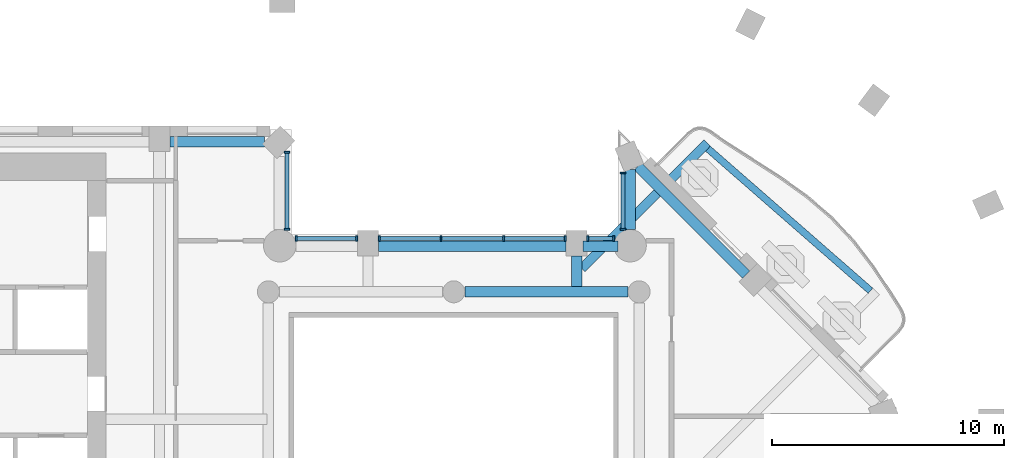
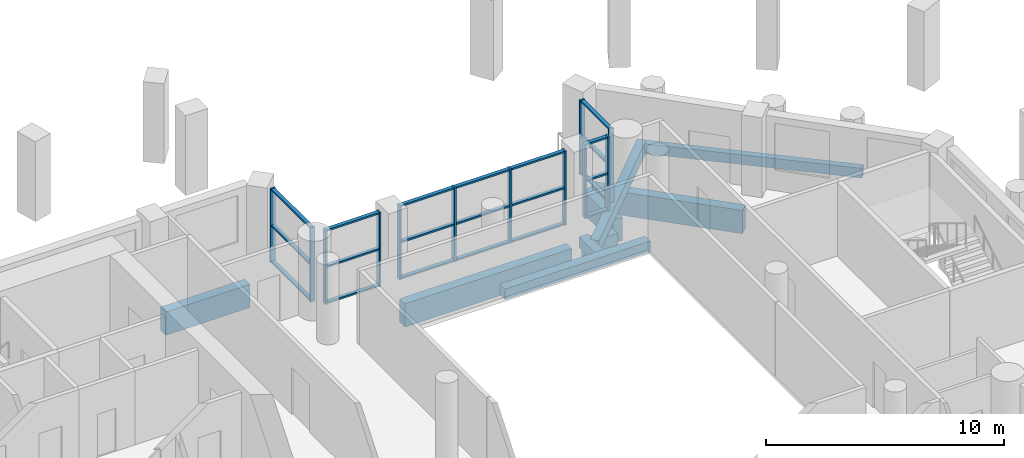
# One storey, part 2 of 15: 33 members, 9 beams, 5 elements without a shape of their own.
"""IFC4 building model written with IfcOpenShell, lengths in metres."""

from ifc_helpers import new_model, si_unit, direction, frame, origin, origin_2d, place, context, subcontext, project, spatial, rectangle, extrude, material, material_profile, profile_set, type_object, element, aggregate, save


model = new_model("IFC4")

# Units and contexts
model_context = context("Model", 3, precision=1e-05, world=origin(), true_north=direction((0.0, 1.0)))
body_context = subcontext(model_context, "Body", "Model", "MODEL_VIEW")
ifc_project = project(units=[si_unit("LENGTHUNIT", "METRE"), si_unit("AREAUNIT", "SQUARE_METRE"), si_unit("VOLUMEUNIT", "CUBIC_METRE"), si_unit("PLANEANGLEUNIT", "RADIAN"), si_unit("MASSUNIT", "GRAM", prefix="KILO")], contexts=[model_context])

# Site, building, storey
site_placement = place(None, origin())
site = spatial("IfcSite", under=ifc_project, at=site_placement, CompositionType="ELEMENT")
building_placement = place(site_placement, origin())
building = spatial("IfcBuilding", under=site, at=building_placement, Name="Cypress Arch Tower", CompositionType="ELEMENT")
storey_placement = place(building_placement, frame((0.0, 0.0, 164.60009765625)))
storey = spatial("IfcBuildingStorey", under=building, at=storey_placement, Name="L35", CompositionType="ELEMENT", Elevation=164.60009765625)

# Beams
ifc_material_1 = material(Name="Concrete C50/60", Category="concrete")
ifc_material_profile_1 = material_profile(ifc_material_1, rectangle(XDim=0.300048828125, YDim=0.5, at=origin_2d()), Name="RC 300x500")
ifc_profile_set_1 = profile_set([ifc_material_profile_1], Name="Concrete C50/60")
beam_type_1 = type_object("IfcBeamType", Name="Balcony edge beam RC 300x500 Concrete C50/60", PredefinedType="BEAM", material=ifc_profile_set_1)
beam_1_placement = place(storey_placement, frame((18.988037109375, 10.046630859375, -0.550048828125), z_axis=(-0.753105672065, 0.657899571898, 0.0), x_axis=(-0.657899571898, -0.753105672065, 0.0)))
element("IfcBeam", 1, at=beam_1_placement, inside=storey, type_object=beam_type_1, Name="Balcony edge beam L35 B05", PredefinedType="BEAM", context=body_context, shape_type="SweptSolid", body=[
    extrude(rectangle(XDim=0.300048828125, YDim=0.5, at=origin_2d()), origin(), (0.0, 0.0, 1.0), 9.316162109375),
])
ifc_material_2 = material(Name="Concrete C50/60", Category="concrete")
ifc_material_profile_2 = material_profile(ifc_material_2, rectangle(XDim=0.39990234375, YDim=0.64990234375, at=origin_2d()), Name="RC 400x650")
ifc_profile_set_2 = profile_set([ifc_material_profile_2], Name="Concrete C50/60")
beam_type_2 = type_object("IfcBeamType", Name="Cantilever beam RC 400x650 Concrete C50/60", PredefinedType="BEAM", material=ifc_profile_set_2)
beam_2_placement = place(storey_placement, frame((6.52490234375, 11.011962890625, -0.625), z_axis=(0.707122731623, 0.70709083039, 0.0), x_axis=(-0.70709083039, 0.707122731623, 0.0)))
element("IfcBeam", 2, at=beam_2_placement, inside=storey, type_object=beam_type_2, Name="Cantilever beam L35 B05 2", PredefinedType="BEAM", context=body_context, shape_type="SweptSolid", body=[
    extrude(rectangle(XDim=0.39990234375, YDim=0.64990234375, at=origin_2d()), origin(), (0.0, 0.0, 1.0), 7.653076171875),
])
ifc_material_3 = material(Name="Concrete C50/60", Category="concrete")
ifc_material_profile_3 = material_profile(ifc_material_3, rectangle(XDim=0.449951171875, YDim=0.550048828125, at=origin_2d()), Name="RC 450x550")
ifc_profile_set_3 = profile_set([ifc_material_profile_3], Name="Concrete C50/60")
beam_type_3 = type_object("IfcBeamType", Name="Floor beam RC 450x550 Concrete C50/60", PredefinedType="BEAM", material=ifc_profile_set_3)
beam_3_placement = place(storey_placement, frame((1.47509765625, 10.0, -0.5751953125), z_axis=(1.0, 0.0, 0.0), x_axis=(0.0, 1.0, 0.0)))
element("IfcBeam", 3, at=beam_3_placement, inside=storey, type_object=beam_type_3, Name="Floor beam L35 RB008", PredefinedType="BEAM", context=body_context, shape_type="SweptSolid", body=[
    extrude(rectangle(XDim=0.449951171875, YDim=0.550048828125, at=origin_2d()), origin(), (0.0, 0.0, 1.0), 7.0498046875),
])
beam_4_placement = place(storey_placement, frame((6.300048828125, 10.22509765625, -0.5751953125), z_axis=(0.0, 1.0, 0.0), x_axis=(-1.0, 0.0, 0.0)))
element("IfcBeam", 4, at=beam_4_placement, inside=storey, type_object=beam_type_3, Name="Floor beam L35 FB017", PredefinedType="BEAM", context=body_context, shape_type="SweptSolid", body=[
    extrude(rectangle(XDim=0.449951171875, YDim=0.550048828125, at=origin_2d()), origin(), (0.0, 0.0, 1.0), 1.324951171875),
])

# Curtain wall, members
ifc_material_4 = material(Name="Anodised aluminium, bronze finish, clear laminated double glazing", Category="aluminium")
curtain_wall_type = type_object("IfcCurtainWallType", Name="Curtain wall CW7 slot glazing", PredefinedType="NOTDEFINED", material=ifc_material_4)
curtain_wall_1_placement = place(storey_placement, origin())
curtain_wall_1 = element("IfcCurtainWall", 5, at=curtain_wall_1_placement, inside=storey, type_object=curtain_wall_type, Name="Curtain wall L35 slot B06.0", PredefinedType="NOTDEFINED")
ifc_material_5 = material(Name="Anodised aluminium, bronze finish", Category="aluminium")
ifc_material_profile_4 = material_profile(ifc_material_5, rectangle(XDim=0.239990234375, YDim=0.0849609375, at=origin_2d()), Name="Mullion 85x240")
ifc_profile_set_4 = profile_set([ifc_material_profile_4], Name="Anodised aluminium, bronze finish")
member_type_1 = type_object("IfcMemberType", Name="Mullion CW7 85x240", PredefinedType="MULLION", material=ifc_profile_set_4)
member_1_placement = place(storey_placement, frame((8.300048828125, 15.12744140625, 0.0), z_axis=(0.0, 0.0, 1.0), x_axis=(1.0, 0.0, 0.0)))
member_1 = element("IfcMember", 6, at=member_1_placement, type_object=member_type_1, Name="CW7 mullion 1", PredefinedType="MULLION", context=body_context, shape_type="SweptSolid", body=[
    extrude(rectangle(XDim=0.239990234375, YDim=0.0849609375, at=origin_2d()), origin(), (0.0, 0.0, 1.0), 3.7998046875),
])
member_2_placement = place(storey_placement, frame((8.300048828125, 12.697021484375, 0.0), z_axis=(0.0, 0.0, 1.0), x_axis=(1.0, 0.0, 0.0)))
member_2 = element("IfcMember", 7, at=member_2_placement, type_object=member_type_1, Name="CW7 mullion 2", PredefinedType="MULLION", context=body_context, shape_type="SweptSolid", body=[
    extrude(rectangle(XDim=0.239990234375, YDim=0.0849609375, at=origin_2d()), origin(), (0.0, 0.0, 1.0), 3.7998046875),
])

curtain_wall_2_placement = place(storey_placement, origin())
curtain_wall_2 = element("IfcCurtainWall", 8, at=curtain_wall_2_placement, inside=storey, type_object=curtain_wall_type, Name="Curtain wall L35 slot B07.0", PredefinedType="NOTDEFINED")
member_3_placement = place(storey_placement, frame((7.903076171875, 12.300048828125, 0.0), z_axis=(0.0, 0.0, 1.0), x_axis=(0.0, -1.0, 0.0)))
member_3 = element("IfcMember", 9, at=member_3_placement, type_object=member_type_1, Name="CW7 mullion 1", PredefinedType="MULLION", context=body_context, shape_type="SweptSolid", body=[
    extrude(rectangle(XDim=0.239990234375, YDim=0.0849609375, at=origin_2d()), origin(), (0.0, 0.0, 1.0), 3.7998046875),
])
member_4_placement = place(storey_placement, frame((6.79248046875, 12.300048828125, 0.0), z_axis=(0.0, 0.0, 1.0), x_axis=(0.0, -1.0, 0.0)))
member_4 = element("IfcMember", 10, at=member_4_placement, type_object=member_type_1, Name="CW7 mullion 2", PredefinedType="MULLION", context=body_context, shape_type="SweptSolid", body=[
    extrude(rectangle(XDim=0.239990234375, YDim=0.0849609375, at=origin_2d()), origin(), (0.0, 0.0, 1.0), 3.7998046875),
])

curtain_wall_3_placement = place(storey_placement, origin())
curtain_wall_3 = element("IfcCurtainWall", 11, at=curtain_wall_3_placement, inside=storey, type_object=curtain_wall_type, Name="Curtain wall L35 slot B07.1", PredefinedType="NOTDEFINED")
member_5_placement = place(storey_placement, frame((5.8076171875, 12.300048828125, 0.0), z_axis=(0.0, 0.0, 1.0), x_axis=(0.0, -1.0, 0.0)))
member_5 = element("IfcMember", 12, at=member_5_placement, type_object=member_type_1, Name="CW7 mullion 1", PredefinedType="MULLION", context=body_context, shape_type="SweptSolid", body=[
    extrude(rectangle(XDim=0.239990234375, YDim=0.0849609375, at=origin_2d()), origin(), (0.0, 0.0, 1.0), 3.7998046875),
])
member_6_placement = place(storey_placement, frame((3.14990234375, 12.300048828125, 0.0), z_axis=(0.0, 0.0, 1.0), x_axis=(0.0, -1.0, 0.0)))
member_6 = element("IfcMember", 13, at=member_6_placement, type_object=member_type_1, Name="CW7 mullion 2", PredefinedType="MULLION", context=body_context, shape_type="SweptSolid", body=[
    extrude(rectangle(XDim=0.239990234375, YDim=0.0849609375, at=origin_2d()), origin(), (0.0, 0.0, 1.0), 3.7998046875),
])
member_7_placement = place(storey_placement, frame((0.449951171875, 12.300048828125, 0.0), z_axis=(0.0, 0.0, 1.0), x_axis=(0.0, -1.0, 0.0)))
member_7 = element("IfcMember", 14, at=member_7_placement, type_object=member_type_1, Name="CW7 mullion 3", PredefinedType="MULLION", context=body_context, shape_type="SweptSolid", body=[
    extrude(rectangle(XDim=0.239990234375, YDim=0.0849609375, at=origin_2d()), origin(), (0.0, 0.0, 1.0), 3.7998046875),
])
member_8_placement = place(storey_placement, frame((-2.20751953125, 12.300048828125, 0.0), z_axis=(0.0, 0.0, 1.0), x_axis=(0.0, -1.0, 0.0)))
member_8 = element("IfcMember", 15, at=member_8_placement, type_object=member_type_1, Name="CW7 mullion 4", PredefinedType="MULLION", context=body_context, shape_type="SweptSolid", body=[
    extrude(rectangle(XDim=0.239990234375, YDim=0.0849609375, at=origin_2d()), origin(), (0.0, 0.0, 1.0), 3.7998046875),
])

curtain_wall_4_placement = place(storey_placement, origin())
curtain_wall_4 = element("IfcCurtainWall", 16, at=curtain_wall_4_placement, inside=storey, type_object=curtain_wall_type, Name="Curtain wall L35 slot B07.2", PredefinedType="NOTDEFINED")
member_9_placement = place(storey_placement, frame((-3.1923828125, 12.300048828125, 0.0), z_axis=(0.0, 0.0, 1.0), x_axis=(0.0, -1.0, 0.0)))
member_9 = element("IfcMember", 17, at=member_9_placement, type_object=member_type_1, Name="CW7 mullion 1", PredefinedType="MULLION", context=body_context, shape_type="SweptSolid", body=[
    extrude(rectangle(XDim=0.239990234375, YDim=0.0849609375, at=origin_2d()), origin(), (0.0, 0.0, 1.0), 3.7998046875),
])
member_10_placement = place(storey_placement, frame((-5.802978515625, 12.300048828125, 0.0), z_axis=(0.0, 0.0, 1.0), x_axis=(0.0, -1.0, 0.0)))
member_10 = element("IfcMember", 18, at=member_10_placement, type_object=member_type_1, Name="CW7 mullion 2", PredefinedType="MULLION", context=body_context, shape_type="SweptSolid", body=[
    extrude(rectangle(XDim=0.239990234375, YDim=0.0849609375, at=origin_2d()), origin(), (0.0, 0.0, 1.0), 3.7998046875),
])

curtain_wall_5_placement = place(storey_placement, origin())
curtain_wall_5 = element("IfcCurtainWall", 19, at=curtain_wall_5_placement, inside=storey, type_object=curtain_wall_type, Name="Curtain wall L35 slot B08.0", PredefinedType="NOTDEFINED")
member_11_placement = place(storey_placement, frame((-6.199951171875, 12.697021484375, 0.0), z_axis=(0.0, 0.0, 1.0), x_axis=(-1.0, 0.0, 0.0)))
member_11 = element("IfcMember", 20, at=member_11_placement, type_object=member_type_1, Name="CW7 mullion 1", PredefinedType="MULLION", context=body_context, shape_type="SweptSolid", body=[
    extrude(rectangle(XDim=0.239990234375, YDim=0.0849609375, at=origin_2d()), origin(), (0.0, 0.0, 1.0), 3.7998046875),
])
member_12_placement = place(storey_placement, frame((-6.199951171875, 16.02099609375, 0.0), z_axis=(0.0, 0.0, 1.0), x_axis=(-1.0, 0.0, 0.0)))
member_12 = element("IfcMember", 21, at=member_12_placement, type_object=member_type_1, Name="CW7 mullion 2", PredefinedType="MULLION", context=body_context, shape_type="SweptSolid", body=[
    extrude(rectangle(XDim=0.239990234375, YDim=0.0849609375, at=origin_2d()), origin(), (0.0, 0.0, 1.0), 3.7998046875),
])

# Beams
ifc_material_6 = material(Name="Concrete C50/60", Category="concrete")
ifc_material_profile_5 = material_profile(ifc_material_6, rectangle(XDim=0.449951171875, YDim=1.199951171875, at=origin_2d()), Name="RC 450x1200")
ifc_profile_set_5 = profile_set([ifc_material_profile_5], Name="Concrete C50/60")
beam_type_4 = type_object("IfcBeamType", Name="Spandrel beam RC 450x1200 Concrete C50/60", PredefinedType="SPANDREL", material=ifc_profile_set_5)
beam_5_placement = place(storey_placement, frame((13.622802734375, 10.73486328125, -1.550048828125), z_axis=(-0.707106781187, 0.707106781187, 0.0), x_axis=(-0.707106781187, -0.707106781187, 0.0)))
element("IfcBeam", 22, at=beam_5_placement, inside=storey, type_object=beam_type_4, Name="Spandrel beam L35 BB05-1", PredefinedType="SPANDREL", context=body_context, shape_type="SweptSolid", body=[
    extrude(rectangle(XDim=0.449951171875, YDim=1.199951171875, at=origin_2d()), origin(), (0.0, 0.0, 1.0), 6.610595703125),
])
beam_6_placement = place(storey_placement, frame((8.625, 15.275146484375, -1.550048828125), z_axis=(0.0, -1.0, 0.0), x_axis=(1.0, 0.0, 0.0)))
element("IfcBeam", 23, at=beam_6_placement, inside=storey, type_object=beam_type_4, Name="Spandrel beam L35 BB06-0", PredefinedType="SPANDREL", context=body_context, shape_type="SweptSolid", body=[
    extrude(rectangle(XDim=0.449951171875, YDim=1.199951171875, at=origin_2d()), origin(), (0.0, 0.0, 1.0), 2.587646484375),
])
beam_7_placement = place(storey_placement, frame((8.081298828125, 11.97509765625, -1.550048828125), z_axis=(-1.0, 0.0, 0.0), x_axis=(0.0, -1.0, 0.0)))
element("IfcBeam", 24, at=beam_7_placement, inside=storey, type_object=beam_type_4, Name="Spandrel beam L35 BB07-0", PredefinedType="SPANDREL", context=body_context, shape_type="SweptSolid", body=[
    extrude(rectangle(XDim=0.449951171875, YDim=1.199951171875, at=origin_2d()), origin(), (0.0, 0.0, 1.0), 1.5),
])
beam_8_placement = place(storey_placement, frame((5.85009765625, 11.97509765625, -1.550048828125), z_axis=(-1.0, 0.0, 0.0), x_axis=(0.0, -1.0, 0.0)))
element("IfcBeam", 25, at=beam_8_placement, inside=storey, type_object=beam_type_4, Name="Spandrel beam L35 BB07-1", PredefinedType="SPANDREL", context=body_context, shape_type="SweptSolid", body=[
    extrude(rectangle(XDim=0.449951171875, YDim=1.199951171875, at=origin_2d()), origin(), (0.0, 0.0, 1.0), 8.10009765625),
])
beam_9_placement = place(storey_placement, frame((-7.161376953125, 16.47509765625, -1.550048828125), z_axis=(-1.0, 0.0, 0.0), x_axis=(0.0, -1.0, 0.0)))
element("IfcBeam", 26, at=beam_9_placement, inside=storey, type_object=beam_type_4, Name="Spandrel beam L35 BB09-0", PredefinedType="SPANDREL", context=body_context, shape_type="SweptSolid", body=[
    extrude(rectangle(XDim=0.449951171875, YDim=1.199951171875, at=origin_2d()), origin(), (0.0, 0.0, 1.0), 4.088623046875),
])

# Member
ifc_material_7 = material(Name="Anodised aluminium, bronze finish", Category="aluminium")
ifc_material_profile_6 = material_profile(ifc_material_7, rectangle(XDim=0.179931640625, YDim=0.0849609375, at=origin_2d()), Name="Transom 85x180")
ifc_profile_set_6 = profile_set([ifc_material_profile_6], Name="Anodised aluminium, bronze finish")
member_type_2 = type_object("IfcMemberType", Name="Transom CW7 85x180", PredefinedType="USERDEFINED", material=ifc_profile_set_6)
member_13_placement = place(storey_placement, frame((8.300048828125, 15.0849609375, 0.04248046875), z_axis=(0.0, -1.0, 0.0), x_axis=(1.0, 0.0, 0.0)))
member_13 = element("IfcMember", 27, at=member_13_placement, type_object=member_type_2, Name="CW7 transom 1.1", ObjectType="TRANSOM", PredefinedType="USERDEFINED", context=body_context, shape_type="SweptSolid", body=[
    extrude(rectangle(XDim=0.179931640625, YDim=0.0849609375, at=origin_2d()), origin(), (0.0, 0.0, 1.0), 2.345458984375),
])

member_14_placement = place(storey_placement, frame((8.300048828125, 15.0849609375, 1.89990234375), z_axis=(0.0, -1.0, 0.0), x_axis=(1.0, 0.0, 0.0)))
member_14 = element("IfcMember", 28, at=member_14_placement, type_object=member_type_2, Name="CW7 transom 1.2", ObjectType="TRANSOM", PredefinedType="USERDEFINED", context=body_context, shape_type="SweptSolid", body=[
    extrude(rectangle(XDim=0.179931640625, YDim=0.0849609375, at=origin_2d()), origin(), (0.0, 0.0, 1.0), 2.345458984375),
])

member_15_placement = place(storey_placement, frame((8.300048828125, 15.0849609375, 3.75732421875), z_axis=(0.0, -1.0, 0.0), x_axis=(1.0, 0.0, 0.0)))
member_15 = element("IfcMember", 29, at=member_15_placement, type_object=member_type_2, Name="CW7 transom 1.3", ObjectType="TRANSOM", PredefinedType="USERDEFINED", context=body_context, shape_type="SweptSolid", body=[
    extrude(rectangle(XDim=0.179931640625, YDim=0.0849609375, at=origin_2d()), origin(), (0.0, 0.0, 1.0), 2.345458984375),
])

aggregate(curtain_wall_1, [member_1, member_2, member_13, member_14, member_15])

member_16_placement = place(storey_placement, frame((7.8603515625, 12.300048828125, 0.04248046875), z_axis=(-1.0, 0.0, 0.0), x_axis=(0.0, -1.0, 0.0)))
member_16 = element("IfcMember", 30, at=member_16_placement, type_object=member_type_2, Name="CW7 transom 1.1", ObjectType="TRANSOM", PredefinedType="USERDEFINED", context=body_context, shape_type="SweptSolid", body=[
    extrude(rectangle(XDim=0.179931640625, YDim=0.0849609375, at=origin_2d()), origin(), (0.0, 0.0, 1.0), 1.025390625),
])

member_17_placement = place(storey_placement, frame((7.8603515625, 12.300048828125, 1.89990234375), z_axis=(-1.0, 0.0, 0.0), x_axis=(0.0, -1.0, 0.0)))
member_17 = element("IfcMember", 31, at=member_17_placement, type_object=member_type_2, Name="CW7 transom 1.2", ObjectType="TRANSOM", PredefinedType="USERDEFINED", context=body_context, shape_type="SweptSolid", body=[
    extrude(rectangle(XDim=0.179931640625, YDim=0.0849609375, at=origin_2d()), origin(), (0.0, 0.0, 1.0), 1.025390625),
])

member_18_placement = place(storey_placement, frame((7.8603515625, 12.300048828125, 3.75732421875), z_axis=(-1.0, 0.0, 0.0), x_axis=(0.0, -1.0, 0.0)))
member_18 = element("IfcMember", 32, at=member_18_placement, type_object=member_type_2, Name="CW7 transom 1.3", ObjectType="TRANSOM", PredefinedType="USERDEFINED", context=body_context, shape_type="SweptSolid", body=[
    extrude(rectangle(XDim=0.179931640625, YDim=0.0849609375, at=origin_2d()), origin(), (0.0, 0.0, 1.0), 1.025390625),
])

aggregate(curtain_wall_2, [member_3, member_4, member_16, member_17, member_18])

member_19_placement = place(storey_placement, frame((5.764892578125, 12.300048828125, 0.04248046875), z_axis=(-1.0, 0.0, 0.0), x_axis=(0.0, -1.0, 0.0)))
member_19 = element("IfcMember", 33, at=member_19_placement, type_object=member_type_2, Name="CW7 transom 1.1", ObjectType="TRANSOM", PredefinedType="USERDEFINED", context=body_context, shape_type="SweptSolid", body=[
    extrude(rectangle(XDim=0.179931640625, YDim=0.0849609375, at=origin_2d()), origin(), (0.0, 0.0, 1.0), 2.572509765625),
])

member_20_placement = place(storey_placement, frame((5.764892578125, 12.300048828125, 1.89990234375), z_axis=(-1.0, 0.0, 0.0), x_axis=(0.0, -1.0, 0.0)))
member_20 = element("IfcMember", 34, at=member_20_placement, type_object=member_type_2, Name="CW7 transom 1.2", ObjectType="TRANSOM", PredefinedType="USERDEFINED", context=body_context, shape_type="SweptSolid", body=[
    extrude(rectangle(XDim=0.179931640625, YDim=0.0849609375, at=origin_2d()), origin(), (0.0, 0.0, 1.0), 2.572509765625),
])

member_21_placement = place(storey_placement, frame((5.764892578125, 12.300048828125, 3.75732421875), z_axis=(-1.0, 0.0, 0.0), x_axis=(0.0, -1.0, 0.0)))
member_21 = element("IfcMember", 35, at=member_21_placement, type_object=member_type_2, Name="CW7 transom 1.3", ObjectType="TRANSOM", PredefinedType="USERDEFINED", context=body_context, shape_type="SweptSolid", body=[
    extrude(rectangle(XDim=0.179931640625, YDim=0.0849609375, at=origin_2d()), origin(), (0.0, 0.0, 1.0), 2.572509765625),
])

member_22_placement = place(storey_placement, frame((3.107421875, 12.300048828125, 0.04248046875), z_axis=(-1.0, 0.0, 0.0), x_axis=(0.0, -1.0, 0.0)))
member_22 = element("IfcMember", 36, at=member_22_placement, type_object=member_type_2, Name="CW7 transom 2.1", ObjectType="TRANSOM", PredefinedType="USERDEFINED", context=body_context, shape_type="SweptSolid", body=[
    extrude(rectangle(XDim=0.179931640625, YDim=0.0849609375, at=origin_2d()), origin(), (0.0, 0.0, 1.0), 2.614990234375),
])

member_23_placement = place(storey_placement, frame((3.107421875, 12.300048828125, 1.89990234375), z_axis=(-1.0, 0.0, 0.0), x_axis=(0.0, -1.0, 0.0)))
member_23 = element("IfcMember", 37, at=member_23_placement, type_object=member_type_2, Name="CW7 transom 2.2", ObjectType="TRANSOM", PredefinedType="USERDEFINED", context=body_context, shape_type="SweptSolid", body=[
    extrude(rectangle(XDim=0.179931640625, YDim=0.0849609375, at=origin_2d()), origin(), (0.0, 0.0, 1.0), 2.614990234375),
])

member_24_placement = place(storey_placement, frame((3.107421875, 12.300048828125, 3.75732421875), z_axis=(-1.0, 0.0, 0.0), x_axis=(0.0, -1.0, 0.0)))
member_24 = element("IfcMember", 38, at=member_24_placement, type_object=member_type_2, Name="CW7 transom 2.3", ObjectType="TRANSOM", PredefinedType="USERDEFINED", context=body_context, shape_type="SweptSolid", body=[
    extrude(rectangle(XDim=0.179931640625, YDim=0.0849609375, at=origin_2d()), origin(), (0.0, 0.0, 1.0), 2.614990234375),
])

member_25_placement = place(storey_placement, frame((0.407470703125, 12.300048828125, 0.04248046875), z_axis=(-1.0, 0.0, 0.0), x_axis=(0.0, -1.0, 0.0)))
member_25 = element("IfcMember", 39, at=member_25_placement, type_object=member_type_2, Name="CW7 transom 3.1", ObjectType="TRANSOM", PredefinedType="USERDEFINED", context=body_context, shape_type="SweptSolid", body=[
    extrude(rectangle(XDim=0.179931640625, YDim=0.0849609375, at=origin_2d()), origin(), (0.0, 0.0, 1.0), 2.572509765625),
])

member_26_placement = place(storey_placement, frame((0.407470703125, 12.300048828125, 1.89990234375), z_axis=(-1.0, 0.0, 0.0), x_axis=(0.0, -1.0, 0.0)))
member_26 = element("IfcMember", 40, at=member_26_placement, type_object=member_type_2, Name="CW7 transom 3.2", ObjectType="TRANSOM", PredefinedType="USERDEFINED", context=body_context, shape_type="SweptSolid", body=[
    extrude(rectangle(XDim=0.179931640625, YDim=0.0849609375, at=origin_2d()), origin(), (0.0, 0.0, 1.0), 2.572509765625),
])

member_27_placement = place(storey_placement, frame((0.407470703125, 12.300048828125, 3.75732421875), z_axis=(-1.0, 0.0, 0.0), x_axis=(0.0, -1.0, 0.0)))
member_27 = element("IfcMember", 41, at=member_27_placement, type_object=member_type_2, Name="CW7 transom 3.3", ObjectType="TRANSOM", PredefinedType="USERDEFINED", context=body_context, shape_type="SweptSolid", body=[
    extrude(rectangle(XDim=0.179931640625, YDim=0.0849609375, at=origin_2d()), origin(), (0.0, 0.0, 1.0), 2.572509765625),
])

aggregate(curtain_wall_3, [member_5, member_6, member_7, member_8, member_19, member_20, member_21, member_22, member_23, member_24, member_25, member_26, member_27])

member_28_placement = place(storey_placement, frame((-3.235107421875, 12.300048828125, 0.04248046875), z_axis=(-1.0, 0.0, 0.0), x_axis=(0.0, -1.0, 0.0)))
member_28 = element("IfcMember", 42, at=member_28_placement, type_object=member_type_2, Name="CW7 transom 1.1", ObjectType="TRANSOM", PredefinedType="USERDEFINED", context=body_context, shape_type="SweptSolid", body=[
    extrude(rectangle(XDim=0.179931640625, YDim=0.0849609375, at=origin_2d()), origin(), (0.0, 0.0, 1.0), 2.525390625),
])

member_29_placement = place(storey_placement, frame((-3.235107421875, 12.300048828125, 1.89990234375), z_axis=(-1.0, 0.0, 0.0), x_axis=(0.0, -1.0, 0.0)))
member_29 = element("IfcMember", 43, at=member_29_placement, type_object=member_type_2, Name="CW7 transom 1.2", ObjectType="TRANSOM", PredefinedType="USERDEFINED", context=body_context, shape_type="SweptSolid", body=[
    extrude(rectangle(XDim=0.179931640625, YDim=0.0849609375, at=origin_2d()), origin(), (0.0, 0.0, 1.0), 2.525390625),
])

member_30_placement = place(storey_placement, frame((-3.235107421875, 12.300048828125, 3.75732421875), z_axis=(-1.0, 0.0, 0.0), x_axis=(0.0, -1.0, 0.0)))
member_30 = element("IfcMember", 44, at=member_30_placement, type_object=member_type_2, Name="CW7 transom 1.3", ObjectType="TRANSOM", PredefinedType="USERDEFINED", context=body_context, shape_type="SweptSolid", body=[
    extrude(rectangle(XDim=0.179931640625, YDim=0.0849609375, at=origin_2d()), origin(), (0.0, 0.0, 1.0), 2.525390625),
])

aggregate(curtain_wall_4, [member_9, member_10, member_28, member_29, member_30])

member_31_placement = place(storey_placement, frame((-6.199951171875, 12.739501953125, 0.04248046875), z_axis=(0.0, 1.0, 0.0), x_axis=(-1.0, 0.0, 0.0)))
member_31 = element("IfcMember", 45, at=member_31_placement, type_object=member_type_2, Name="CW7 transom 1.1", ObjectType="TRANSOM", PredefinedType="USERDEFINED", context=body_context, shape_type="SweptSolid", body=[
    extrude(rectangle(XDim=0.179931640625, YDim=0.0849609375, at=origin_2d()), origin(), (0.0, 0.0, 1.0), 3.239013671875),
])

member_32_placement = place(storey_placement, frame((-6.199951171875, 12.739501953125, 1.89990234375), z_axis=(0.0, 1.0, 0.0), x_axis=(-1.0, 0.0, 0.0)))
member_32 = element("IfcMember", 46, at=member_32_placement, type_object=member_type_2, Name="CW7 transom 1.2", ObjectType="TRANSOM", PredefinedType="USERDEFINED", context=body_context, shape_type="SweptSolid", body=[
    extrude(rectangle(XDim=0.179931640625, YDim=0.0849609375, at=origin_2d()), origin(), (0.0, 0.0, 1.0), 3.239013671875),
])

member_33_placement = place(storey_placement, frame((-6.199951171875, 12.739501953125, 3.75732421875), z_axis=(0.0, 1.0, 0.0), x_axis=(-1.0, 0.0, 0.0)))
member_33 = element("IfcMember", 47, at=member_33_placement, type_object=member_type_2, Name="CW7 transom 1.3", ObjectType="TRANSOM", PredefinedType="USERDEFINED", context=body_context, shape_type="SweptSolid", body=[
    extrude(rectangle(XDim=0.179931640625, YDim=0.0849609375, at=origin_2d()), origin(), (0.0, 0.0, 1.0), 3.239013671875),
])

aggregate(curtain_wall_5, [member_11, member_12, member_31, member_32, member_33])

save(model, "model.ifc")
